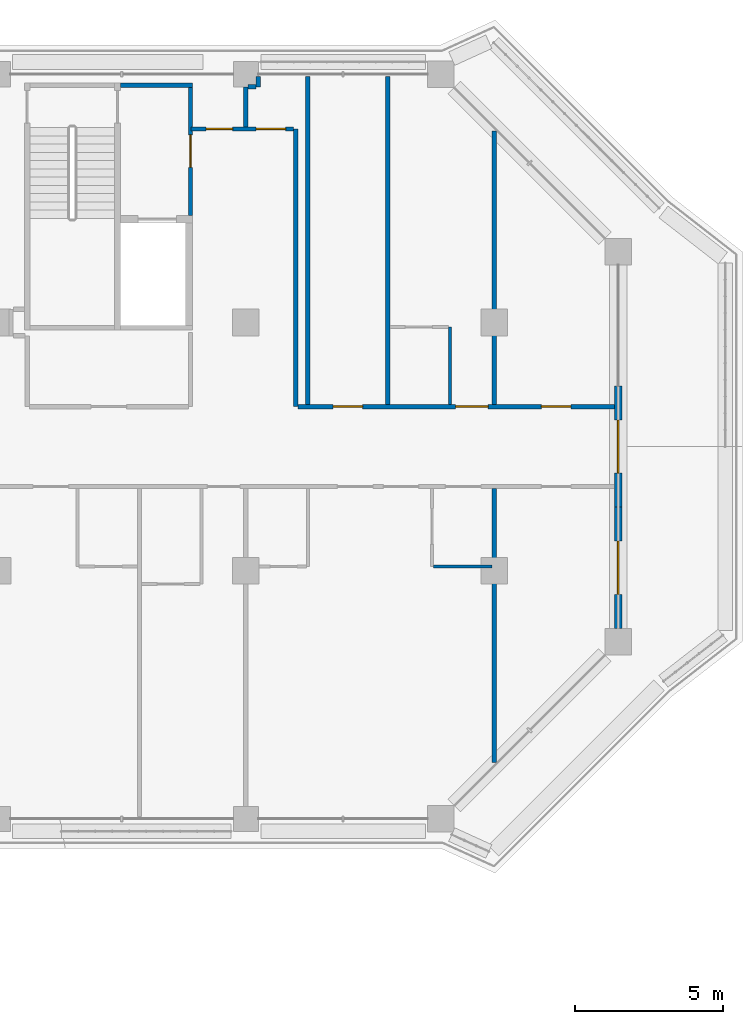
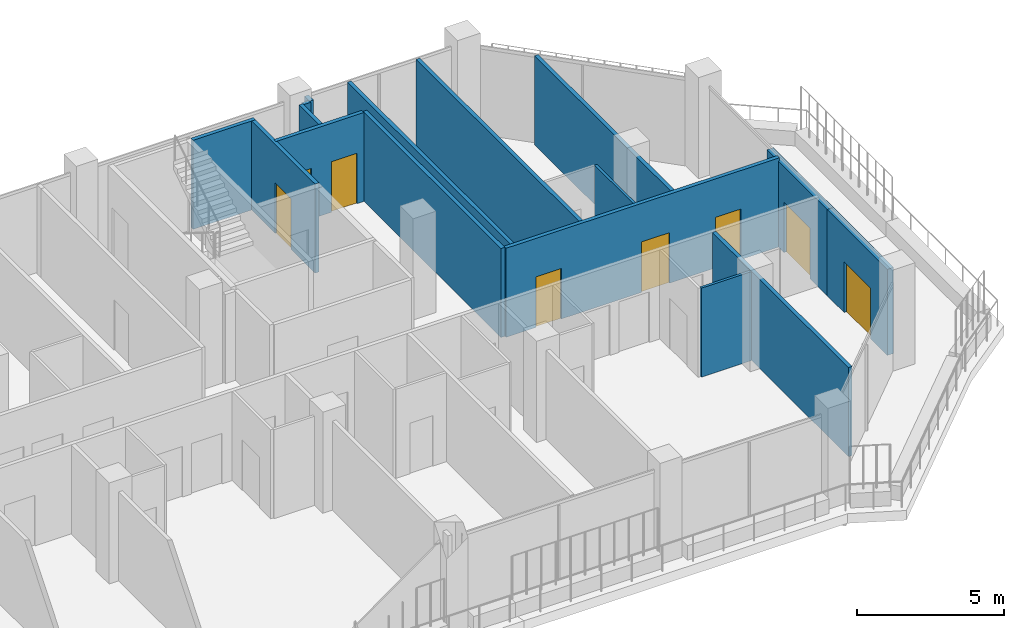
# One storey, part 14 of 23: 16 walls, 8 doors, 8 openings.
"""IFC4 building model written with IfcOpenShell, lengths in metres."""

from ifc_helpers import new_model, si_unit, direction, frame, frame_2d, origin, place, context, subcontext, project, spatial, rectangle, extrude, material, layer, layer_set, type_object, element, fill, save


model = new_model("IFC4")

# Units and contexts
model_context = context("Model", 3, precision=1e-05, world=origin(), true_north=direction((0.0, 1.0)))
body_context = subcontext(model_context, "Body", "Model", "MODEL_VIEW")
ifc_project = project(units=[si_unit("LENGTHUNIT", "METRE"), si_unit("AREAUNIT", "SQUARE_METRE"), si_unit("VOLUMEUNIT", "CUBIC_METRE"), si_unit("PLANEANGLEUNIT", "RADIAN"), si_unit("MASSUNIT", "GRAM", prefix="KILO")], contexts=[model_context])

# Site, building, storey
site_placement = place(None, origin())
site = spatial("IfcSite", under=ifc_project, at=site_placement, CompositionType="ELEMENT")
building_placement = place(site_placement, origin())
building = spatial("IfcBuilding", under=site, at=building_placement, Name="Kawkab Arch Medical Tower", CompositionType="ELEMENT")
storey_placement = place(building_placement, frame((0.0, 0.0, 268.39990234375)))
storey = spatial("IfcBuildingStorey", under=building, at=storey_placement, Name="L62", CompositionType="ELEMENT", Elevation=268.39990234375)

# Wall, opening, door
ifc_material_1 = material(Name="Gypsum board on steel studs", Category="steel")
ifc_layer_1 = layer(ifc_material_1, 0.14990234375)
ifc_layer_set_1 = layer_set([ifc_layer_1], Name="Gypsum board on steel studs")
wall_type_1 = type_object("IfcWallType", Name="Core room partition 150", PredefinedType="PARTITIONING", material=ifc_layer_set_1)
wall_1_placement = place(storey_placement, frame((48.52490234375, -4.77490234375, 0.0), z_axis=(0.0, 0.0, 1.0), x_axis=(0.0, 1.0, 0.0)))
wall_1 = element("IfcWall", 1, at=wall_1_placement, inside=storey, type_object=wall_type_1, Name="L62 core room partition", PredefinedType="PARTITIONING", context=body_context, shape_type="SweptSolid", body=[
    extrude(rectangle(XDim=4.324951171875, YDim=0.14990234375, at=frame_2d((2.16259765625, 0.0))), origin(), (0.0, 0.0, 1.0), 3.7001953125),
])
opening_1_placement = place(wall_1_placement, frame((1.625, 0.0, 0.0)))
opening_1 = element("IfcOpeningElement", 2, at=opening_1_placement, cuts=wall_1, Name="Opening FD", PredefinedType="OPENING", context=body_context, shape_type="SweptSolid", body=[
    extrude(rectangle(XDim=1.10009765625, YDim=2.10009765625, at=frame_2d((0.550048828125, 1.050048828125))), frame((0.0, 0.0849609375, 0.0), z_axis=(0.0, -1.0, 0.0), x_axis=(1.0, 0.0, 0.0)), (0.0, 0.0, 1.0), 0.169921875),
])
ifc_material_2 = material(Name="Hollow metal fire door leaf")
door_type_1 = type_object("IfcDoorType", Name="Firefighting lobby door 1100", OperationType="SINGLE_SWING_LEFT", PredefinedType="DOOR", material=ifc_material_2)
door_1_placement = place(opening_1_placement, origin())
door_1 = element("IfcDoor", 3, at=door_1_placement, inside=storey, type_object=door_type_1, Name="L62 Service lift lobby door SV1", OperationType="SINGLE_SWING_LEFT", OverallHeight=2.10009765625, OverallWidth=1.10009765625, PredefinedType="DOOR", context=body_context, shape_type="SweptSolid", body=[
    extrude(rectangle(XDim=1.10009765625, YDim=2.10009765625, at=frame_2d((0.550048828125, 1.050048828125))), frame((0.0, 0.02490234375, 0.0), z_axis=(0.0, -1.0, 0.0), x_axis=(1.0, 0.0, 0.0)), (0.0, 0.0, 1.0), 0.050048828125),
])
fill(opening_1, door_1)

ifc_material_3 = material(Name="Bronze clad insulated wall panel")
ifc_layer_2 = layer(ifc_material_3, 0.25)
ifc_layer_set_2 = layer_set([ifc_layer_2], Name="Bronze clad insulated wall panel")
wall_type_2 = type_object("IfcWallType", Name="External wall bay 250", PredefinedType="SOLIDWALL", material=ifc_layer_set_2)
wall_2_placement = place(storey_placement, frame((63.0, -18.75, 0.0), z_axis=(0.0, 0.0, 1.0), x_axis=(0.0, 1.0, 0.0)))
wall_2 = element("IfcWall", 4, at=wall_2_placement, inside=storey, type_object=wall_type_2, Name="External wall bay L62.R09.1.1", PredefinedType="SOLIDWALL", context=body_context, shape_type="SweptSolid", body=[
    extrude(rectangle(XDim=4.10009765625, YDim=0.25, at=frame_2d((2.050048828125, 0.0))), origin(), (0.0, 0.0, 1.0), 3.580078125),
])
opening_2_placement = place(wall_2_placement, frame((1.14990234375, 0.0, 0.0)))
opening_2 = element("IfcOpeningElement", 5, at=opening_2_placement, cuts=wall_2, Name="Opening W57-702", PredefinedType="OPENING", context=body_context, shape_type="SweptSolid", body=[
    extrude(rectangle(XDim=1.800048828125, YDim=2.10009765625, at=frame_2d((0.89990234375, 1.050048828125))), frame((0.0, 0.135009765625, 0.0), z_axis=(0.0, -1.0, 0.0), x_axis=(1.0, 0.0, 0.0)), (0.0, 0.0, 1.0), 0.27001953125),
])
ifc_material_4 = material(Name="Bronze anodised aluminium door with tinted glass", Category="aluminium")
door_type_2 = type_object("IfcDoorType", Name="Double external door 1800 x 2100", OperationType="DOUBLE_DOOR_SINGLE_SWING", PredefinedType="DOOR", material=ifc_material_4)
door_2_placement = place(opening_2_placement, origin())
door_2 = element("IfcDoor", 6, at=door_2_placement, inside=storey, type_object=door_type_2, Name="External door L62.R09.1.1", OperationType="DOUBLE_DOOR_SINGLE_SWING", OverallHeight=2.10009765625, OverallWidth=1.800048828125, PredefinedType="DOOR", context=body_context, shape_type="SweptSolid", body=[
    extrude(rectangle(XDim=1.800048828125, YDim=2.10009765625, at=frame_2d((0.89990234375, 1.050048828125))), frame((0.0, 0.02490234375, 0.0), z_axis=(0.0, -1.0, 0.0), x_axis=(1.0, 0.0, 0.0)), (0.0, 0.0, 1.0), 0.050048828125),
])
fill(opening_2, door_2)

wall_3_placement = place(storey_placement, frame((63.0, -14.64990234375, 0.0), z_axis=(0.0, 0.0, 1.0), x_axis=(0.0, 1.0, 0.0)))
wall_3 = element("IfcWall", 7, at=wall_3_placement, inside=storey, type_object=wall_type_2, Name="External wall bay L62.R09.1.2", PredefinedType="SOLIDWALL", context=body_context, shape_type="SweptSolid", body=[
    extrude(rectangle(XDim=4.099853515625, YDim=0.25, at=frame_2d((2.0498046875, 0.0))), origin(), (0.0, 0.0, 1.0), 3.580078125),
])
opening_3_placement = place(wall_3_placement, frame((1.14990234375, 0.0, 0.0)))
opening_3 = element("IfcOpeningElement", 8, at=opening_3_placement, cuts=wall_3, Name="Opening W57-702", PredefinedType="OPENING", context=body_context, shape_type="SweptSolid", body=[
    extrude(rectangle(XDim=1.800048828125, YDim=2.10009765625, at=frame_2d((0.89990234375, 1.050048828125))), frame((0.0, 0.135009765625, 0.0), z_axis=(0.0, -1.0, 0.0), x_axis=(1.0, 0.0, 0.0)), (0.0, 0.0, 1.0), 0.27001953125),
])
door_3_placement = place(opening_3_placement, origin())
door_3 = element("IfcDoor", 9, at=door_3_placement, inside=storey, type_object=door_type_2, Name="External door L62.R09.1.2", OperationType="DOUBLE_DOOR_SINGLE_SWING", OverallHeight=2.10009765625, OverallWidth=1.800048828125, PredefinedType="DOOR", context=body_context, shape_type="SweptSolid", body=[
    extrude(rectangle(XDim=1.800048828125, YDim=2.10009765625, at=frame_2d((0.89990234375, 1.050048828125))), frame((0.0, 0.02490234375, 0.0), z_axis=(0.0, -1.0, 0.0), x_axis=(1.0, 0.0, 0.0)), (0.0, 0.0, 1.0), 0.050048828125),
])
fill(opening_3, door_3)

# Walls
ifc_material_5 = material(Name="Gypsum board partition on steel studs", Category="steel")
ifc_layer_3 = layer(ifc_material_5, 0.10009765625)
ifc_layer_set_3 = layer_set([ifc_layer_3], Name="Gypsum board partition on steel studs")
wall_type_3 = type_object("IfcWallType", Name="Partition 100", PredefinedType="PARTITIONING", material=ifc_layer_set_3)
wall_4_placement = place(storey_placement, frame((56.75, -16.64990234375, 0.0), z_axis=(0.0, 0.0, 1.0), x_axis=(1.0, 0.0, 0.0)))
element("IfcWall", 10, at=wall_4_placement, inside=storey, type_object=wall_type_3, Name="Partition 100 w006", PredefinedType="PARTITIONING", context=body_context, shape_type="SweptSolid", body=[
    extrude(rectangle(XDim=1.97509765625, YDim=0.10009765625, at=frame_2d((0.987548828125, 0.0))), origin(), (0.0, 0.0, 1.0), 3.7001953125),
])
wall_5_placement = place(storey_placement, frame((57.300048828125, -11.175048828125, 0.0), z_axis=(0.0, 0.0, 1.0), x_axis=(0.0, 1.0, 0.0)))
element("IfcWall", 11, at=wall_5_placement, inside=storey, type_object=wall_type_3, Name="Partition 100 w018", PredefinedType="PARTITIONING", context=body_context, shape_type="SweptSolid", body=[
    extrude(rectangle(XDim=2.625, YDim=0.10009765625, at=frame_2d((1.3125, 0.0))), origin(), (0.0, 0.0, 1.0), 3.7001953125),
])

# Wall, openings, doors
ifc_material_6 = material(Name="Gypsum board partition on steel studs, mineral wool", Category="steel")
ifc_layer_4 = layer(ifc_material_6, 0.14990234375)
ifc_layer_set_4 = layer_set([ifc_layer_4], Name="Gypsum board partition on steel studs, mineral wool")
wall_type_4 = type_object("IfcWallType", Name="Partition 150", PredefinedType="PARTITIONING", material=ifc_layer_set_4)
wall_6_placement = place(storey_placement, frame((52.16796875, -11.25, 0.0), z_axis=(0.0, 0.0, 1.0), x_axis=(1.0, 0.0, 0.0)))
wall_6 = element("IfcWall", 12, at=wall_6_placement, inside=storey, type_object=wall_type_4, Name="Partition 150 w036", PredefinedType="PARTITIONING", context=body_context, shape_type="SweptSolid", body=[
    extrude(rectangle(XDim=10.751953125, YDim=0.14990234375, at=frame_2d((5.3759765625, 0.0))), origin(), (0.0, 0.0, 1.0), 3.7001953125),
])
opening_4_placement = place(wall_6_placement, frame((5.33203125, 0.0, 0.0)))
opening_4 = element("IfcOpeningElement", 13, at=opening_4_placement, cuts=wall_6, Name="Opening W57-019", PredefinedType="OPENING", context=body_context, shape_type="SweptSolid", body=[
    extrude(rectangle(XDim=1.10009765625, YDim=2.10009765625, at=frame_2d((0.550048828125, 1.050048828125))), frame((0.0, 0.0849609375, 0.0), z_axis=(0.0, -1.0, 0.0), x_axis=(1.0, 0.0, 0.0)), (0.0, 0.0, 1.0), 0.169921875),
])
opening_5_placement = place(wall_6_placement, frame((8.23193359375, 0.0, 0.0)))
opening_5 = element("IfcOpeningElement", 14, at=opening_5_placement, cuts=wall_6, Name="Opening W57-011", PredefinedType="OPENING", context=body_context, shape_type="SweptSolid", body=[
    extrude(rectangle(XDim=1.0, YDim=2.10009765625, at=frame_2d((0.5, 1.050048828125))), frame((0.0, 0.0849609375, 0.0), z_axis=(0.0, -1.0, 0.0), x_axis=(1.0, 0.0, 0.0)), (0.0, 0.0, 1.0), 0.169921875),
])
opening_6_placement = place(wall_6_placement, frame((1.181884765625, 0.0, 0.0)))
opening_6 = element("IfcOpeningElement", 15, at=opening_6_placement, cuts=wall_6, Name="Opening W57-018", PredefinedType="OPENING", context=body_context, shape_type="SweptSolid", body=[
    extrude(rectangle(XDim=1.0, YDim=2.10009765625, at=frame_2d((0.5, 1.050048828125))), frame((0.0, 0.0849609375, 0.0), z_axis=(0.0, -1.0, 0.0), x_axis=(1.0, 0.0, 0.0)), (0.0, 0.0, 1.0), 0.169921875),
])
ifc_material_7 = material(Name="Hollow metal door leaf")
door_type_3 = type_object("IfcDoorType", Name="Single door 1000x2100 FD30S", OperationType="NOTDEFINED", PredefinedType="DOOR", material=ifc_material_7)
door_4_placement = place(opening_5_placement, origin())
door_4 = element("IfcDoor", 16, at=door_4_placement, inside=storey, type_object=door_type_3, Name="Door W57-011", OperationType="SINGLE_SWING_RIGHT", OverallHeight=2.10009765625, OverallWidth=1.0, PredefinedType="DOOR", context=body_context, shape_type="SweptSolid", body=[
    extrude(rectangle(XDim=1.0, YDim=2.10009765625, at=frame_2d((0.5, 1.050048828125))), frame((0.0, 0.02490234375, 0.0), z_axis=(0.0, -1.0, 0.0), x_axis=(1.0, 0.0, 0.0)), (0.0, 0.0, 1.0), 0.050048828125),
])
fill(opening_5, door_4)
door_5_placement = place(opening_6_placement, origin())
door_5 = element("IfcDoor", 17, at=door_5_placement, inside=storey, type_object=door_type_3, Name="Door W57-018", OperationType="SINGLE_SWING_LEFT", OverallHeight=2.10009765625, OverallWidth=1.0, PredefinedType="DOOR", context=body_context, shape_type="SweptSolid", body=[
    extrude(rectangle(XDim=1.0, YDim=2.10009765625, at=frame_2d((0.5, 1.050048828125))), frame((0.0, 0.02490234375, 0.0), z_axis=(0.0, -1.0, 0.0), x_axis=(1.0, 0.0, 0.0)), (0.0, 0.0, 1.0), 0.050048828125),
])
fill(opening_6, door_5)
ifc_material_8 = material(Name="Hollow metal door leaf")
door_type_4 = type_object("IfcDoorType", Name="Single door 1100x2100 FD30S", OperationType="NOTDEFINED", PredefinedType="DOOR", material=ifc_material_8)
door_6_placement = place(opening_4_placement, origin())
door_6 = element("IfcDoor", 18, at=door_6_placement, inside=storey, type_object=door_type_4, Name="Door W57-019", OperationType="SINGLE_SWING_RIGHT", OverallHeight=2.10009765625, OverallWidth=1.10009765625, PredefinedType="DOOR", context=body_context, shape_type="SweptSolid", body=[
    extrude(rectangle(XDim=1.10009765625, YDim=2.10009765625, at=frame_2d((0.550048828125, 1.050048828125))), frame((0.0, 0.02490234375, 0.0), z_axis=(0.0, -1.0, 0.0), x_axis=(1.0, 0.0, 0.0)), (0.0, 0.0, 1.0), 0.050048828125),
])
fill(opening_4, door_6)

wall_7_placement = place(storey_placement, frame((48.550048828125, -1.85009765625, 0.0), z_axis=(0.0, 0.0, 1.0), x_axis=(1.0, 0.0, 0.0)))
wall_7 = element("IfcWall", 19, at=wall_7_placement, inside=storey, type_object=wall_type_4, Name="Partition 150 w040", PredefinedType="PARTITIONING", context=body_context, shape_type="SweptSolid", body=[
    extrude(rectangle(XDim=3.466064453125, YDim=0.14990234375, at=frame_2d((1.73291015625, 0.0))), origin(), (0.0, 0.0, 1.0), 3.7001953125),
])
opening_7_placement = place(wall_7_placement, frame((0.5, 0.0, 0.0)))
opening_7 = element("IfcOpeningElement", 20, at=opening_7_placement, cuts=wall_7, Name="Opening W57-008", PredefinedType="OPENING", context=body_context, shape_type="SweptSolid", body=[
    extrude(rectangle(XDim=0.89990234375, YDim=2.10009765625, at=frame_2d((0.449951171875, 1.050048828125))), frame((0.0, 0.0849609375, 0.0), z_axis=(0.0, -1.0, 0.0), x_axis=(1.0, 0.0, 0.0)), (0.0, 0.0, 1.0), 0.169921875),
])
opening_8_placement = place(wall_7_placement, frame((2.196044921875, 0.0, 0.0)))
opening_8 = element("IfcOpeningElement", 21, at=opening_8_placement, cuts=wall_7, Name="Opening W57-009", PredefinedType="OPENING", context=body_context, shape_type="SweptSolid", body=[
    extrude(rectangle(XDim=1.0, YDim=2.10009765625, at=frame_2d((0.5, 1.050048828125))), frame((0.0, 0.0849609375, 0.0), z_axis=(0.0, -1.0, 0.0), x_axis=(1.0, 0.0, 0.0)), (0.0, 0.0, 1.0), 0.169921875),
])
ifc_material_9 = material(Name="Timber door leaf", Category="wood")
door_type_5 = type_object("IfcDoorType", Name="Single door 1000x2100", OperationType="NOTDEFINED", PredefinedType="DOOR", material=ifc_material_9)
door_7_placement = place(opening_8_placement, origin())
door_7 = element("IfcDoor", 22, at=door_7_placement, inside=storey, type_object=door_type_5, Name="Door W57-009", OperationType="SINGLE_SWING_RIGHT", OverallHeight=2.10009765625, OverallWidth=1.0, PredefinedType="DOOR", context=body_context, shape_type="SweptSolid", body=[
    extrude(rectangle(XDim=1.0, YDim=2.10009765625, at=frame_2d((0.5, 1.050048828125))), frame((0.0, 0.02490234375, 0.0), z_axis=(0.0, -1.0, 0.0), x_axis=(1.0, 0.0, 0.0)), (0.0, 0.0, 1.0), 0.050048828125),
])
fill(opening_8, door_7)
ifc_material_10 = material(Name="Timber door leaf", Category="wood")
door_type_6 = type_object("IfcDoorType", Name="Single door 900x2100", OperationType="NOTDEFINED", PredefinedType="DOOR", material=ifc_material_10)
door_8_placement = place(opening_7_placement, origin())
door_8 = element("IfcDoor", 23, at=door_8_placement, inside=storey, type_object=door_type_6, Name="Door W57-008", OperationType="SINGLE_SWING_LEFT", OverallHeight=2.10009765625, OverallWidth=0.89990234375, PredefinedType="DOOR", context=body_context, shape_type="SweptSolid", body=[
    extrude(rectangle(XDim=0.89990234375, YDim=2.10009765625, at=frame_2d((0.449951171875, 1.050048828125))), frame((0.0, 0.02490234375, 0.0), z_axis=(0.0, -1.0, 0.0), x_axis=(1.0, 0.0, 0.0)), (0.0, 0.0, 1.0), 0.050048828125),
])
fill(opening_7, door_8)

# Walls
wall_8_placement = place(storey_placement, frame((50.47705078125, -0.425048828125, 0.0), z_axis=(0.0, 0.0, 1.0), x_axis=(1.0, 0.0, 0.0)))
element("IfcWall", 24, at=wall_8_placement, inside=storey, type_object=wall_type_4, Name="Partition 150 w041", PredefinedType="PARTITIONING", context=body_context, shape_type="SweptSolid", body=[
    extrude(rectangle(XDim=0.27294921875, YDim=0.14990234375, at=frame_2d((0.136474609375, 0.0))), origin(), (0.0, 0.0, 1.0), 3.7001953125),
])
wall_9_placement = place(storey_placement, frame((50.39990234375, -1.77490234375, 0.0), z_axis=(0.0, 0.0, 1.0), x_axis=(0.0, 1.0, 0.0)))
element("IfcWall", 25, at=wall_9_placement, inside=storey, type_object=wall_type_4, Name="Partition 150 w068", PredefinedType="PARTITIONING", context=body_context, shape_type="SweptSolid", body=[
    extrude(rectangle(XDim=1.347900390625, YDim=0.14990234375, at=frame_2d((0.673828125, 0.0))), origin(), (0.0, 0.0, 1.0), 3.7001953125),
])
wall_10_placement = place(storey_placement, frame((50.824951171875, -0.425048828125, 0.0), z_axis=(0.0, 0.0, 1.0), x_axis=(0.0, 1.0, 0.0)))
element("IfcWall", 26, at=wall_10_placement, inside=storey, type_object=wall_type_4, Name="Partition 150 w069", PredefinedType="PARTITIONING", context=body_context, shape_type="SweptSolid", body=[
    extrude(rectangle(XDim=0.344970703125, YDim=0.14990234375, at=frame_2d((0.17236328125, 0.0))), origin(), (0.0, 0.0, 1.0), 3.7001953125),
])
wall_11_placement = place(storey_placement, frame((52.093017578125, -11.25, 0.0), z_axis=(0.0, 0.0, 1.0), x_axis=(0.0, 1.0, 0.0)))
element("IfcWall", 27, at=wall_11_placement, inside=storey, type_object=wall_type_4, Name="Partition 150 w070", PredefinedType="PARTITIONING", context=body_context, shape_type="SweptSolid", body=[
    extrude(rectangle(XDim=9.39892578125, YDim=0.14990234375, at=frame_2d((4.699462890625, 0.0))), origin(), (0.0, 0.0, 1.0), 3.7001953125),
])
for number, where, z_axis, x_axis, name in (
    (28, (52.5, -11.175048828125, 0.0), (0.0, 0.0, 1.0), (0.0, 1.0, 0.0), "Partition 150 w071"),
    (29, (55.199951171875, -11.175048828125, 0.0), (0.0, 0.0, 1.0), (0.0, 1.0, 0.0), "Partition 150 w072"),
):
    element("IfcWall", number, at=place(storey_placement, frame(where, z_axis=z_axis, x_axis=x_axis)), inside=storey, type_object=wall_type_4, Name=name, PredefinedType="PARTITIONING", context=body_context, shape_type="SweptSolid", body=[
        extrude(rectangle(XDim=11.094970703125, YDim=0.14990234375, at=frame_2d((5.54736328125, 0.0))), origin(), (0.0, 0.0, 1.0), 3.7001953125),
    ])
wall_12_placement = place(storey_placement, frame((58.800048828125, -23.287109375, 0.0), z_axis=(0.0, 0.0, 1.0), x_axis=(0.0, 1.0, 0.0)))
element("IfcWall", 30, at=wall_12_placement, inside=storey, type_object=wall_type_4, Name="Partition 150 w073", PredefinedType="PARTITIONING", context=body_context, shape_type="SweptSolid", body=[
    extrude(rectangle(XDim=9.26220703125, YDim=0.14990234375, at=frame_2d((4.631103515625, 0.0))), origin(), (0.0, 0.0, 1.0), 3.7001953125),
])
wall_13_placement = place(storey_placement, frame((58.800048828125, -11.175048828125, 0.0), z_axis=(0.0, 0.0, 1.0), x_axis=(0.0, 1.0, 0.0)))
element("IfcWall", 31, at=wall_13_placement, inside=storey, type_object=wall_type_4, Name="Partition 150 w074", PredefinedType="PARTITIONING", context=body_context, shape_type="SweptSolid", body=[
    extrude(rectangle(XDim=9.261962890625, YDim=0.14990234375, at=frame_2d((4.630859375, 0.0))), origin(), (0.0, 0.0, 1.0), 3.7001953125),
])
ifc_material_11 = material(Name="Concrete C50/60", Category="concrete")
ifc_layer_5 = layer(ifc_material_11, 0.14990234375)
ifc_layer_set_5 = layer_set([ifc_layer_5], Name="Concrete C50/60")
wall_type_5 = type_object("IfcWallType", Name="Stair enclosure wall 150 C50/60", PredefinedType="SHEAR", material=ifc_layer_set_5)
wall_14_placement = place(storey_placement, frame((46.14990234375, -0.375, 0.0), z_axis=(0.0, 0.0, 1.0), x_axis=(1.0, 0.0, 0.0)))
element("IfcWall", 32, at=wall_14_placement, inside=storey, type_object=wall_type_5, Name="L62 stair enclosure wall", PredefinedType="SHEAR", context=body_context, shape_type="SweptSolid", body=[
    extrude(rectangle(XDim=2.4501953125, YDim=0.14990234375, at=frame_2d((1.22509765625, 0.0))), origin(), (0.0, 0.0, 1.0), 3.7001953125),
])

save(model, "model.ifc")
